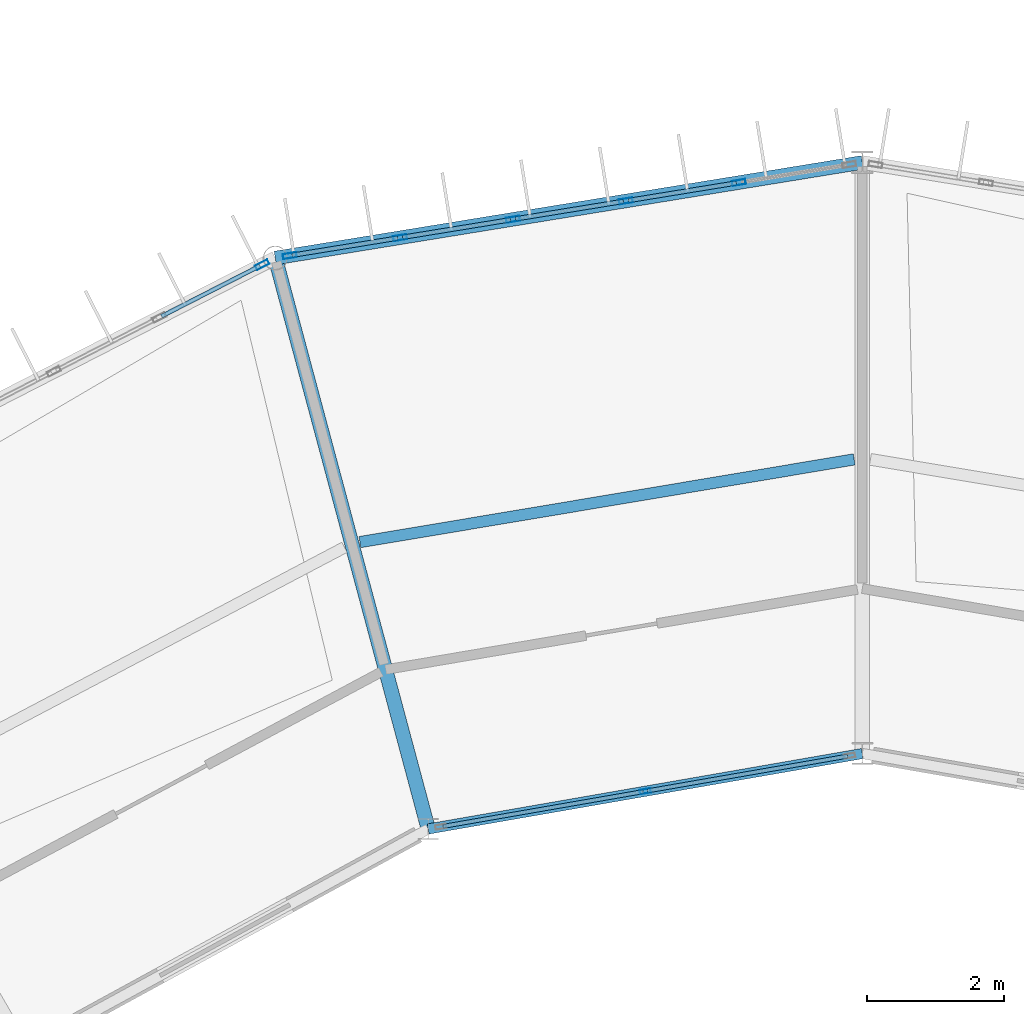
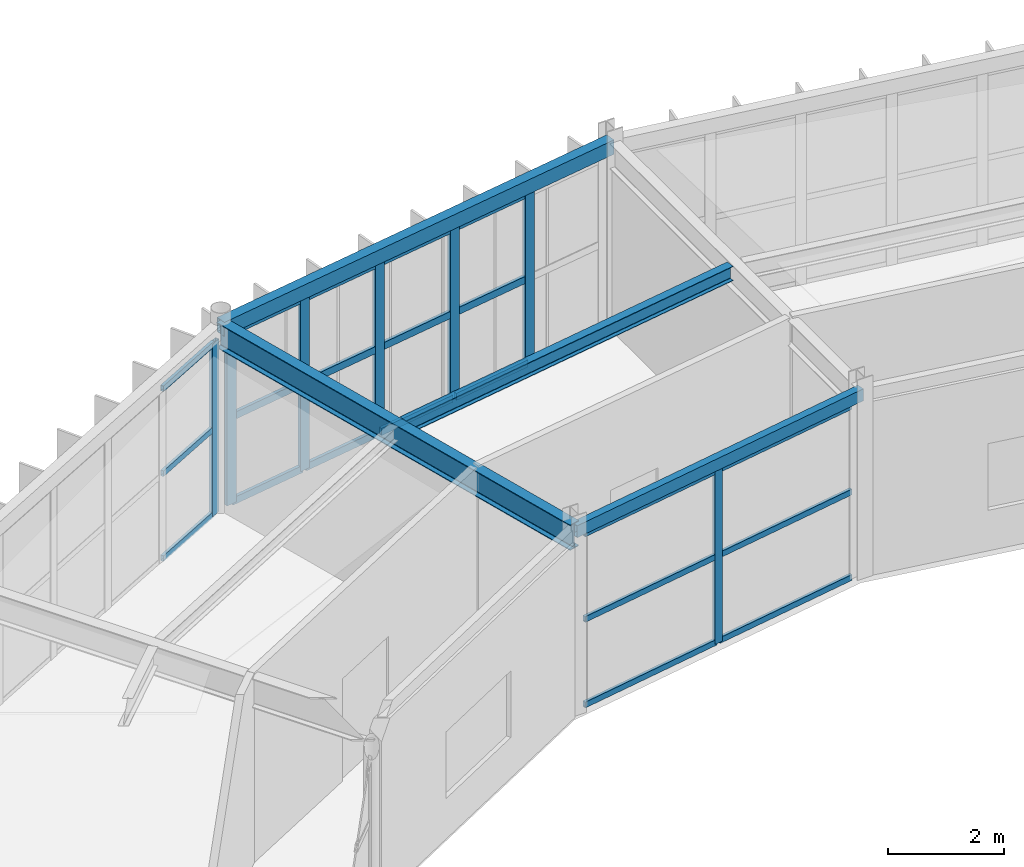
# One storey, part 79 of 148: 28 members, 4 beams, 3 elements without a shape of their own.
"""IFC4 building model written with IfcOpenShell, lengths in metres."""

import ifcopenshell
import ifcopenshell.guid

model = None  # the IFC model being written
_history = None  # IfcOwnerHistory: only IFC2X3 demands one
_inside = {}  # id of a spatial element -> (the spatial element, [elements in it])
_under = {}  # id of a project, library or spatial element -> (it, [spatial elements below it])
_declared = {}  # id of a project -> (the project, [libraries it declares])
_typed = {}  # id of a type object -> (the type object, [elements of that type])
_made_of = {}  # id of a material, layer set ... -> (it, [elements and type objects made of it])


def new_model(schema):
    """Start an empty IFC model of exactly this schema.

    Asked for "IFC4X3", IfcOpenShell would pick the latest addendum, in which some entities
    have other attributes; the version numbers below select the first issue.
    IFC2X3 requires an IfcOwnerHistory on every rooted entity: one is made here for all.
    """
    global model, _history
    if schema == "IFC4X3":
        model = ifcopenshell.file(schema_version=(4, 3, 0, 0))
    else:
        model = ifcopenshell.file(schema=schema)
    _inside.clear()
    _under.clear()
    _declared.clear()
    _typed.clear()
    _made_of.clear()
    _history = None
    if model.schema == "IFC2X3":
        org = make("IfcOrganization", Name="unknown")
        user = make(
            "IfcPersonAndOrganization",
            ThePerson=make("IfcPerson", FamilyName="unknown"),
            TheOrganization=org,
        )
        app = make(
            "IfcApplication",
            ApplicationDeveloper=org,
            Version="unknown",
            ApplicationFullName="unknown",
            ApplicationIdentifier="unknown",
        )
        _history = make(
            "IfcOwnerHistory",
            OwningUser=user,
            OwningApplication=app,
            ChangeAction="ADDED",
            CreationDate=0,
        )
    return model


def make(cls, **values):
    """One entity of the class cls with the attributes given. An attribute that is None is left unset."""
    return model.create_entity(
        cls, **{name: value for name, value in values.items() if value is not None}
    )


def rooted(cls, **values):
    """An entity with a GlobalId (a new one), such as an element, a storey or a relation."""
    return make(cls, GlobalId=ifcopenshell.guid.new(), OwnerHistory=_history, **values)


def si_unit(unit_type, name, prefix=None):
    """IfcSIUnit, for example si_unit("LENGTHUNIT", "METRE", prefix="MILLI")."""
    return make("IfcSIUnit", UnitType=unit_type, Prefix=prefix, Name=name)


def assignment(units):
    """IfcUnitAssignment: the units of a project."""
    return None if units is None else make("IfcUnitAssignment", Units=units)


def point(xyz):
    """IfcCartesianPoint."""
    return None if xyz is None else make("IfcCartesianPoint", Coordinates=xyz)


def direction(xyz):
    """IfcDirection."""
    return None if xyz is None else make("IfcDirection", DirectionRatios=xyz)


def frame(location, z_axis=None, x_axis=None):
    """IfcAxis2Placement3D, a coordinate frame: its origin and axes. An axis left out is left unset."""
    return make(
        "IfcAxis2Placement3D",
        Location=point(location),
        Axis=direction(z_axis),
        RefDirection=direction(x_axis),
    )


def frame_2d(location, x_axis=None):
    """IfcAxis2Placement2D, a coordinate frame in the plane: its origin and x axis."""
    return make(
        "IfcAxis2Placement2D", Location=point(location), RefDirection=direction(x_axis)
    )


def origin():
    """The frame at (0, 0, 0) with its axes left unset."""
    return frame((0.0, 0.0, 0.0))


def origin_2d():
    """The frame at (0, 0) in the plane with its x axis left unset."""
    return frame_2d((0.0, 0.0))


def place(relative_to, where):
    """IfcLocalPlacement: puts the frame where relative to a parent placement (None: the world)."""
    return make(
        "IfcLocalPlacement", PlacementRelTo=relative_to, RelativePlacement=where
    )


def context(
    kind, dimensions, precision=None, world=None, true_north=None, identifier=None
):
    """IfcGeometricRepresentationContext, for example the 3D "Model" context."""
    return make(
        "IfcGeometricRepresentationContext",
        ContextIdentifier=identifier,
        ContextType=kind,
        CoordinateSpaceDimension=dimensions,
        Precision=precision,
        WorldCoordinateSystem=world,
        TrueNorth=true_north,
    )


def subcontext(parent, identifier, kind, view, scale=None):
    """IfcGeometricRepresentationSubContext, for example "Body" below "Model"."""
    return make(
        "IfcGeometricRepresentationSubContext",
        ContextIdentifier=identifier,
        ContextType=kind,
        ParentContext=parent,
        TargetScale=scale,
        TargetView=view,
    )


def project(units=None, contexts=None):
    """IfcProject with its units and contexts."""
    return rooted(
        "IfcProject",
        Name="project",
        RepresentationContexts=contexts,
        UnitsInContext=assignment(units),
    )


def spatial(cls, under=None, at=None, **own):
    """A site, building, storey or space (cls), placed at a placement, below another one or the project."""
    s = rooted(cls, ObjectPlacement=at, **own)
    if under is not None:
        _under.setdefault(under.id(), (under, []))[1].append(s)
    return s


def profile(cls, at=None, kind="AREA", **sizes):
    """A parametric profile (cls). Its sizes go by their IFC names, for example OverallWidth=200.0."""
    return make(cls, ProfileType=kind, Position=at, **sizes)


def hollow_rectangle(**sizes):
    """IfcRectangleHollowProfileDef."""
    return profile("IfcRectangleHollowProfileDef", **sizes)


def i_section(**sizes):
    """IfcIShapeProfileDef."""
    return profile("IfcIShapeProfileDef", **sizes)


def extrude(swept, where, along, depth):
    """IfcExtrudedAreaSolid: the profile swept, set in the frame where, extruded along a direction by depth."""
    return make(
        "IfcExtrudedAreaSolid",
        SweptArea=swept,
        Position=where,
        ExtrudedDirection=direction(along),
        Depth=depth,
    )


def shape(context_of_items, identifier, shape_type, items):
    """IfcShapeRepresentation: the items that make up one representation, for example the "Body"."""
    return make(
        "IfcShapeRepresentation",
        ContextOfItems=context_of_items,
        RepresentationIdentifier=identifier,
        RepresentationType=shape_type,
        Items=items,
    )


def material(Name=None, Category=None):
    """IfcMaterial."""
    return make("IfcMaterial", Name=Name, Category=Category)


def material_profile(
    of_material, cross_section, Name=None, Category=None, Priority=None
):
    """IfcMaterialProfile: a cross section and its material."""
    return make(
        "IfcMaterialProfile",
        Name=Name,
        Material=of_material,
        Profile=cross_section,
        Priority=Priority,
        Category=Category,
    )


def profile_set(profiles, Name=None, composite=None):
    """IfcMaterialProfileSet."""
    return make(
        "IfcMaterialProfileSet",
        Name=Name,
        MaterialProfiles=profiles,
        CompositeProfile=composite,
    )


def made_of(thing, what):
    """Note that an element or type object is made of a material, layer set ...; save() writes the relation."""
    if what is not None:
        _made_of.setdefault(what.id(), (what, []))[1].append(thing)
    return thing


def type_object(cls, material=None, **own):
    """A type object (cls), such as IfcWallType, which elements share."""
    return made_of(rooted(cls, **own), material)


def element(
    cls,
    number,
    at=None,
    inside=None,
    cuts=None,
    type_object=None,
    material=None,
    context=None,
    identifier="Body",
    shape_type=None,
    held_by="IfcProductDefinitionShape",
    body=None,
    shapes=None,
    **own,
):
    """One element of the class cls, such as IfcWall. Its Tag is "e" and its number.

    at: its placement. inside: the storey or other place that contains it. cuts: it is an
    opening in that element (IfcRelVoidsElement). A single representation is given by context,
    identifier, shape_type and body (its items); several are given by shapes. held_by: the class
    of the entity that holds the representations. save() writes the other relations.
    """
    e = rooted(cls, Tag="e%d" % number, ObjectPlacement=at, **own)
    if body is not None:
        shapes = [shape(context, identifier, shape_type, body)]
    if shapes is not None:
        e.Representation = make(held_by, Representations=shapes)
    if inside is not None:
        _inside.setdefault(inside.id(), (inside, []))[1].append(e)
    if cuts is not None:
        rooted(
            "IfcRelVoidsElement", RelatingBuildingElement=cuts, RelatedOpeningElement=e
        )
    if type_object is not None:
        _typed.setdefault(type_object.id(), (type_object, []))[1].append(e)
    return made_of(e, material)


def aggregate(whole, parts):
    """IfcRelAggregates: a whole, such as a stair, and the parts it consists of."""
    return rooted("IfcRelAggregates", RelatingObject=whole, RelatedObjects=parts)


def save(model, path):
    """Write the relations noted so far, then the file.

    IfcRelAggregates (storeys below a building ...), IfcRelContainedInSpatialStructure (elements
    in a storey), IfcRelDefinesByType, IfcRelAssociatesMaterial and IfcRelDeclares: one each for
    every whole, place, type object, material and project.
    """
    for whole, parts in _under.values():
        aggregate(whole, parts)
    for where, things in _inside.values():
        rooted(
            "IfcRelContainedInSpatialStructure",
            RelatedElements=things,
            RelatingStructure=where,
        )
    for kind, things in _typed.values():
        rooted("IfcRelDefinesByType", RelatedObjects=things, RelatingType=kind)
    for what, things in _made_of.values():
        rooted("IfcRelAssociatesMaterial", RelatedObjects=things, RelatingMaterial=what)
    for by, libraries in _declared.values():
        rooted("IfcRelDeclares", RelatingContext=by, RelatedDefinitions=libraries)
    model.write(path)


model = new_model("IFC4")

# Units and contexts
model_context = context("Model", 3, precision=1e-05, world=origin(), true_north=direction((0.0, 1.0)))
body_context = subcontext(model_context, "Body", "Model", "MODEL_VIEW")
ifc_project = project(units=[si_unit("LENGTHUNIT", "METRE"), si_unit("AREAUNIT", "SQUARE_METRE"), si_unit("VOLUMEUNIT", "CUBIC_METRE"), si_unit("PLANEANGLEUNIT", "RADIAN"), si_unit("MASSUNIT", "GRAM", prefix="KILO")], contexts=[model_context])

# Site, building, storey
site_placement = place(None, origin())
site = spatial("IfcSite", under=ifc_project, at=site_placement, CompositionType="ELEMENT")
building_placement = place(site_placement, origin())
building = spatial("IfcBuilding", under=site, at=building_placement, Name="Karori Crest Natural Sciences Institute", CompositionType="ELEMENT")
storey_placement = place(building_placement, frame((0.0, 0.0, 4.89990234375)))
storey = spatial("IfcBuildingStorey", under=building, at=storey_placement, Name="L01", CompositionType="ELEMENT", Elevation=4.89990234375)

# Beams
ifc_material_1 = material(Name="Structural steel AS/NZS 3679.1 Grade 350", Category="steel")
ifc_material_profile_1 = material_profile(ifc_material_1, i_section(OverallWidth=0.208984375, OverallDepth=0.532958984375, WebThickness=0.01025390625, FlangeThickness=0.015625, FilletRadius=0.013916015625, at=origin_2d()), Name="530UB92.4")
ifc_profile_set_1 = profile_set([ifc_material_profile_1], Name="Structural steel AS/NZS 3679.1 Grade 350")
beam_type_1 = type_object("IfcBeamType", Name="BT-05", PredefinedType="BEAM", material=ifc_profile_set_1)
beam_1_placement = place(storey_placement, frame((60.084716796875, 81.002685546875, 3.673583984375), z_axis=(-0.258812709002, 0.96592752402, 0.0), x_axis=(-0.96592752402, -0.258812709002, 0.0)))
element("IfcBeam", 1, at=beam_1_placement, inside=storey, type_object=beam_type_1, Name="Beam B-0209", PredefinedType="BEAM", context=body_context, shape_type="SweptSolid", body=[
    extrude(i_section(OverallWidth=0.208984375, OverallDepth=0.532958984375, WebThickness=0.01025390625, FlangeThickness=0.015625, FilletRadius=0.013916015625, at=origin_2d()), origin(), (0.0, 0.0, 1.0), 8.60009765625),
])
ifc_material_profile_2 = material_profile(ifc_material_1, i_section(OverallWidth=0.1650390625, OverallDepth=0.303955078125, WebThickness=0.006103515625, FlangeThickness=0.01025390625, FilletRadius=0.010986328125, at=origin_2d()), Name="310UB40.4")
ifc_profile_set_2 = profile_set([ifc_material_profile_2], Name="Structural steel AS/NZS 3679.1 Grade 350")
beam_type_2 = type_object("IfcBeamType", Name="BT-10", PredefinedType="BEAM", material=ifc_profile_set_2)
beam_2_placement = place(storey_placement, frame((66.281494140625, 86.380126953125, 3.7880859375), z_axis=(-0.98626966223, -0.165142827164, 0.0), x_axis=(0.165142827164, -0.98626966223, 0.0)))
element("IfcBeam", 2, at=beam_2_placement, inside=storey, type_object=beam_type_2, Name="Beam B-0206", PredefinedType="BEAM", context=body_context, shape_type="SweptSolid", body=[
    extrude(i_section(OverallWidth=0.1650390625, OverallDepth=0.303955078125, WebThickness=0.006103515625, FlangeThickness=0.01025390625, FilletRadius=0.010986328125, at=origin_2d()), origin(), (0.0, 0.0, 1.0), 7.291259765625),
])
ifc_material_2 = material(Name="Hollow structural steel AS/NZS 1163 Grade C350", Category="steel")
ifc_material_profile_3 = material_profile(ifc_material_2, hollow_rectangle(XDim=0.199951171875, YDim=0.300048828125, WallThickness=0.010009765625, at=origin_2d()), Name="RHS300x200x10")
ifc_profile_set_3 = profile_set([ifc_material_profile_3], Name="Hollow structural steel AS/NZS 1163 Grade C350")
beam_type_3 = type_object("IfcBeamType", Name="BT-15", PredefinedType="SPANDREL", material=ifc_profile_set_3)
beam_3_placement = place(storey_placement, frame((66.39990234375, 90.699951171875, 3.7900390625), z_axis=(-0.987012055933, -0.160646199591, 0.0), x_axis=(0.160646199591, -0.987012055933, 0.0)))
element("IfcBeam", 3, at=beam_3_placement, inside=storey, type_object=beam_type_3, Name="Beam B-0203", PredefinedType="SPANDREL", context=body_context, shape_type="SweptSolid", body=[
    extrude(hollow_rectangle(XDim=0.199951171875, YDim=0.300048828125, WallThickness=0.010009765625, at=origin_2d()), origin(), (0.0, 0.0, 1.0), 8.6533203125),
])
ifc_material_profile_4 = material_profile(ifc_material_2, hollow_rectangle(XDim=0.14990234375, YDim=0.25, WallThickness=0.009033203125, at=origin_2d()), Name="RHS250x150x9")
ifc_profile_set_4 = profile_set([ifc_material_profile_4], Name="Hollow structural steel AS/NZS 1163 Grade C350")
beam_type_4 = type_object("IfcBeamType", Name="BT-16", PredefinedType="SPANDREL", material=ifc_profile_set_4)
beam_4_placement = place(storey_placement, frame((66.39990234375, 82.10009765625, 3.7900390625), z_axis=(-0.985234948316, -0.171207758638, 0.0), x_axis=(0.171207758638, -0.985234948316, 0.0)))
element("IfcBeam", 4, at=beam_4_placement, inside=storey, type_object=beam_type_4, Name="Beam B-0204", PredefinedType="SPANDREL", context=body_context, shape_type="SweptSolid", body=[
    extrude(hollow_rectangle(XDim=0.14990234375, YDim=0.25, WallThickness=0.009033203125, at=origin_2d()), origin(), (0.0, 0.0, 1.0), 6.409912109375),
])

# Curtain wall, member
ifc_material_3 = material(Name="Anodised architectural aluminium 6063-T6", Category="aluminium")
curtain_wall_type_1 = type_object("IfcCurtainWallType", Name="CWT-12", PredefinedType="NOTDEFINED", material=ifc_material_3)
curtain_wall_1_placement = place(storey_placement, origin())
curtain_wall_1 = element("IfcCurtainWall", 5, at=curtain_wall_1_placement, inside=storey, type_object=curtain_wall_type_1, Name="Curtain wall CW-0040", PredefinedType="NOTDEFINED")
ifc_material_profile_5 = material_profile(ifc_material_3, hollow_rectangle(XDim=0.06494140625, YDim=0.159912109375, WallThickness=0.00390625, at=origin_2d()), Name="CWM160x65x4")
ifc_profile_set_5 = profile_set([ifc_material_profile_5], Name="Anodised architectural aluminium 6063-T6")
member_type_1 = type_object("IfcMemberType", Name="CWM-01", PredefinedType="MULLION", material=ifc_profile_set_5)
member_1_placement = place(storey_placement, frame((63.241943359375, 81.55126953125, 0.0), z_axis=(0.0, 0.0, 1.0), x_axis=(0.171170381048, -0.985241442821, 0.0)))
member_1 = element("IfcMember", 6, at=member_1_placement, type_object=member_type_1, Name="CW-0040 mullion 2", PredefinedType="MULLION", context=body_context, shape_type="SweptSolid", body=[
    extrude(hollow_rectangle(XDim=0.06494140625, YDim=0.159912109375, WallThickness=0.00390625, at=origin_2d()), origin(), (0.0, 0.0, 1.0), 3.650146484375),
])

# Curtain wall, members
curtain_wall_type_2 = type_object("IfcCurtainWallType", Name="CWT-07", PredefinedType="NOTDEFINED", material=ifc_material_3)
curtain_wall_2_placement = place(storey_placement, origin())
curtain_wall_2 = element("IfcCurtainWall", 7, at=curtain_wall_2_placement, inside=storey, type_object=curtain_wall_type_2, Name="Curtain wall CW-0039", PredefinedType="NOTDEFINED")
ifc_material_profile_6 = material_profile(ifc_material_3, hollow_rectangle(XDim=0.074951171875, YDim=0.199951171875, WallThickness=0.0048828125, at=origin_2d()), Name="CWM200x75x5")
ifc_profile_set_6 = profile_set([ifc_material_profile_6], Name="Anodised architectural aluminium 6063-T6")
member_type_2 = type_object("IfcMemberType", Name="CWM-02", PredefinedType="MULLION", material=ifc_profile_set_6)
member_2_placement = place(storey_placement, frame((58.069580078125, 89.343994140625, 0.0), z_axis=(0.0, 0.0, 1.0), x_axis=(-0.1606565458, 0.987010371927, 0.0)))
member_2 = element("IfcMember", 8, at=member_2_placement, type_object=member_type_2, Name="CW-0039 mullion 1", PredefinedType="MULLION", context=body_context, shape_type="SweptSolid", body=[
    extrude(hollow_rectangle(XDim=0.074951171875, YDim=0.199951171875, WallThickness=0.0048828125, at=origin_2d()), origin(), (0.0, 0.0, 1.0), 3.625),
])
member_3_placement = place(storey_placement, frame((59.67529296875, 89.60546875, 0.0), z_axis=(0.0, 0.0, 1.0), x_axis=(-0.1606565458, 0.987010371927, 0.0)))
member_3 = element("IfcMember", 9, at=member_3_placement, type_object=member_type_2, Name="CW-0039 mullion 2", PredefinedType="MULLION", context=body_context, shape_type="SweptSolid", body=[
    extrude(hollow_rectangle(XDim=0.074951171875, YDim=0.199951171875, WallThickness=0.0048828125, at=origin_2d()), origin(), (0.0, 0.0, 1.0), 3.625),
])
member_4_placement = place(storey_placement, frame((61.318115234375, 89.872802734375, 0.0), z_axis=(0.0, 0.0, 1.0), x_axis=(-0.1606565458, 0.987010371927, 0.0)))
member_4 = element("IfcMember", 10, at=member_4_placement, type_object=member_type_2, Name="CW-0039 mullion 3", PredefinedType="MULLION", context=body_context, shape_type="SweptSolid", body=[
    extrude(hollow_rectangle(XDim=0.074951171875, YDim=0.199951171875, WallThickness=0.0048828125, at=origin_2d()), origin(), (0.0, 0.0, 1.0), 3.625),
])
member_5_placement = place(storey_placement, frame((62.9609375, 90.14013671875, 0.0), z_axis=(0.0, 0.0, 1.0), x_axis=(-0.1606565458, 0.987010371927, 0.0)))
member_5 = element("IfcMember", 11, at=member_5_placement, type_object=member_type_2, Name="CW-0039 mullion 4", PredefinedType="MULLION", context=body_context, shape_type="SweptSolid", body=[
    extrude(hollow_rectangle(XDim=0.074951171875, YDim=0.199951171875, WallThickness=0.0048828125, at=origin_2d()), origin(), (0.0, 0.0, 1.0), 3.625),
])
member_6_placement = place(storey_placement, frame((64.603759765625, 90.40771484375, 0.0), z_axis=(0.0, 0.0, 1.0), x_axis=(-0.1606565458, 0.987010371927, 0.0)))
member_6 = element("IfcMember", 12, at=member_6_placement, type_object=member_type_2, Name="CW-0039 mullion 5", PredefinedType="MULLION", context=body_context, shape_type="SweptSolid", body=[
    extrude(hollow_rectangle(XDim=0.074951171875, YDim=0.199951171875, WallThickness=0.0048828125, at=origin_2d()), origin(), (0.0, 0.0, 1.0), 3.625),
])

# Curtain wall, member
curtain_wall_type_3 = type_object("IfcCurtainWallType", Name="CWT-08", PredefinedType="NOTDEFINED", material=ifc_material_3)
curtain_wall_3_placement = place(storey_placement, origin())
curtain_wall_3 = element("IfcCurtainWall", 13, at=curtain_wall_3_placement, inside=storey, type_object=curtain_wall_type_3, Name="Curtain wall CW-0041", PredefinedType="NOTDEFINED")
member_7_placement = place(storey_placement, frame((57.669189453125, 89.212646484375, 0.0), z_axis=(0.0, 0.0, 1.0), x_axis=(-0.455832988828, 0.890065326982, 0.0)))
member_7 = element("IfcMember", 14, at=member_7_placement, type_object=member_type_2, Name="CW-0041 mullion 6", PredefinedType="MULLION", context=body_context, shape_type="SweptSolid", body=[
    extrude(hollow_rectangle(XDim=0.074951171875, YDim=0.199951171875, WallThickness=0.0048828125, at=origin_2d()), origin(), (0.0, 0.0, 1.0), 3.625),
])

# Member
ifc_material_profile_7 = material_profile(ifc_material_3, hollow_rectangle(XDim=0.06005859375, YDim=0.1201171875, WallThickness=0.00390625, at=origin_2d()), Name="CWT120x60x4")
ifc_profile_set_7 = profile_set([ifc_material_profile_7], Name="Anodised architectural aluminium 6063-T6")
member_type_3 = type_object("IfcMemberType", Name="CWT-TR1", PredefinedType="USERDEFINED", material=ifc_profile_set_7)
member_8_placement = place(storey_placement, frame((66.1845703125, 82.0625, 0.030029296875), z_axis=(-0.985245095786, -0.171149353579, 0.0), x_axis=(0.171149353579, -0.985245095786, 0.0)))
member_8 = element("IfcMember", 15, at=member_8_placement, type_object=member_type_3, Name="CW-0040 transom 1.1", ObjectType="TRANSOM", PredefinedType="USERDEFINED", context=body_context, shape_type="SweptSolid", body=[
    extrude(hollow_rectangle(XDim=0.06005859375, YDim=0.1201171875, WallThickness=0.00390625, at=origin_2d()), origin(), (0.0, 0.0, 1.0), 2.954345703125),
])

member_9_placement = place(storey_placement, frame((66.1845703125, 82.0625, 1.8251953125), z_axis=(-0.985245095786, -0.171149353579, 0.0), x_axis=(0.171149353579, -0.985245095786, 0.0)))
member_9 = element("IfcMember", 16, at=member_9_placement, type_object=member_type_3, Name="CW-0040 transom 1.2", ObjectType="TRANSOM", PredefinedType="USERDEFINED", context=body_context, shape_type="SweptSolid", body=[
    extrude(hollow_rectangle(XDim=0.06005859375, YDim=0.1201171875, WallThickness=0.00390625, at=origin_2d()), origin(), (0.0, 0.0, 1.0), 2.954345703125),
])

member_10_placement = place(storey_placement, frame((66.1845703125, 82.0625, 3.6201171875), z_axis=(-0.985245095786, -0.171149353579, 0.0), x_axis=(0.171149353579, -0.985245095786, 0.0)))
member_10 = element("IfcMember", 17, at=member_10_placement, type_object=member_type_3, Name="CW-0040 transom 1.3", ObjectType="TRANSOM", PredefinedType="USERDEFINED", context=body_context, shape_type="SweptSolid", body=[
    extrude(hollow_rectangle(XDim=0.06005859375, YDim=0.1201171875, WallThickness=0.00390625, at=origin_2d()), origin(), (0.0, 0.0, 1.0), 2.954345703125),
])

member_11_placement = place(storey_placement, frame((63.2099609375, 81.5458984375, 0.030029296875), z_axis=(-0.985231157469, -0.171229572075, 0.0), x_axis=(0.171229572075, -0.985231157469, 0.0)))
member_11 = element("IfcMember", 18, at=member_11_placement, type_object=member_type_3, Name="CW-0040 transom 2.1", ObjectType="TRANSOM", PredefinedType="USERDEFINED", context=body_context, shape_type="SweptSolid", body=[
    extrude(hollow_rectangle(XDim=0.06005859375, YDim=0.1201171875, WallThickness=0.00390625, at=origin_2d()), origin(), (0.0, 0.0, 1.0), 2.954345703125),
])

member_12_placement = place(storey_placement, frame((63.2099609375, 81.5458984375, 1.8251953125), z_axis=(-0.985231157469, -0.171229572075, 0.0), x_axis=(0.171229572075, -0.985231157469, 0.0)))
member_12 = element("IfcMember", 19, at=member_12_placement, type_object=member_type_3, Name="CW-0040 transom 2.2", ObjectType="TRANSOM", PredefinedType="USERDEFINED", context=body_context, shape_type="SweptSolid", body=[
    extrude(hollow_rectangle(XDim=0.06005859375, YDim=0.1201171875, WallThickness=0.00390625, at=origin_2d()), origin(), (0.0, 0.0, 1.0), 2.954345703125),
])

member_13_placement = place(storey_placement, frame((63.2099609375, 81.5458984375, 3.6201171875), z_axis=(-0.985231157469, -0.171229572075, 0.0), x_axis=(0.171229572075, -0.985231157469, 0.0)))
member_13 = element("IfcMember", 20, at=member_13_placement, type_object=member_type_3, Name="CW-0040 transom 2.3", ObjectType="TRANSOM", PredefinedType="USERDEFINED", context=body_context, shape_type="SweptSolid", body=[
    extrude(hollow_rectangle(XDim=0.06005859375, YDim=0.1201171875, WallThickness=0.00390625, at=origin_2d()), origin(), (0.0, 0.0, 1.0), 2.954345703125),
])

aggregate(curtain_wall_1, [member_1, member_8, member_9, member_10, member_11, member_12, member_13])

member_14_placement = place(storey_placement, frame((56.203857421875, 88.462158203125, 0.030029296875), z_axis=(0.890044866674, 0.455872937679, 0.0), x_axis=(-0.455872937679, 0.890044866674, 0.0)))
member_14 = element("IfcMember", 21, at=member_14_placement, type_object=member_type_3, Name="CW-0041 transom 5.1", ObjectType="TRANSOM", PredefinedType="USERDEFINED", context=body_context, shape_type="SweptSolid", body=[
    extrude(hollow_rectangle(XDim=0.06005859375, YDim=0.1201171875, WallThickness=0.00390625, at=origin_2d()), origin(), (0.0, 0.0, 1.0), 1.60888671875),
])

member_15_placement = place(storey_placement, frame((56.203857421875, 88.462158203125, 1.8125), z_axis=(0.890044866674, 0.455872937679, 0.0), x_axis=(-0.455872937679, 0.890044866674, 0.0)))
member_15 = element("IfcMember", 22, at=member_15_placement, type_object=member_type_3, Name="CW-0041 transom 5.2", ObjectType="TRANSOM", PredefinedType="USERDEFINED", context=body_context, shape_type="SweptSolid", body=[
    extrude(hollow_rectangle(XDim=0.06005859375, YDim=0.1201171875, WallThickness=0.00390625, at=origin_2d()), origin(), (0.0, 0.0, 1.0), 1.60888671875),
])

member_16_placement = place(storey_placement, frame((56.203857421875, 88.462158203125, 3.59521484375), z_axis=(0.890044866674, 0.455872937679, 0.0), x_axis=(-0.455872937679, 0.890044866674, 0.0)))
member_16 = element("IfcMember", 23, at=member_16_placement, type_object=member_type_3, Name="CW-0041 transom 5.3", ObjectType="TRANSOM", PredefinedType="USERDEFINED", context=body_context, shape_type="SweptSolid", body=[
    extrude(hollow_rectangle(XDim=0.06005859375, YDim=0.1201171875, WallThickness=0.00390625, at=origin_2d()), origin(), (0.0, 0.0, 1.0), 1.60888671875),
])

aggregate(curtain_wall_3, [member_7, member_14, member_15, member_16])

ifc_material_profile_8 = material_profile(ifc_material_3, hollow_rectangle(XDim=0.06494140625, YDim=0.14990234375, WallThickness=0.00390625, at=origin_2d()), Name="CWT150x65x4")
ifc_profile_set_8 = profile_set([ifc_material_profile_8], Name="Anodised architectural aluminium 6063-T6")
member_type_4 = type_object("IfcMemberType", Name="CWT-TR2", PredefinedType="USERDEFINED", material=ifc_profile_set_8)
member_17_placement = place(storey_placement, frame((58.1064453125, 89.35009765625, 0.03271484375), z_axis=(0.987015971558, 0.160622140096, 0.0), x_axis=(-0.160622140096, 0.987015971558, 0.0)))
member_17 = element("IfcMember", 24, at=member_17_placement, type_object=member_type_4, Name="CW-0039 transom 1.1", ObjectType="TRANSOM", PredefinedType="USERDEFINED", context=body_context, shape_type="SweptSolid", body=[
    extrude(hollow_rectangle(XDim=0.06494140625, YDim=0.14990234375, WallThickness=0.00390625, at=origin_2d()), origin(), (0.0, 0.0, 1.0), 1.552001953125),
])

member_18_placement = place(storey_placement, frame((58.1064453125, 89.35009765625, 1.8125), z_axis=(0.987015971558, 0.160622140096, 0.0), x_axis=(-0.160622140096, 0.987015971558, 0.0)))
member_18 = element("IfcMember", 25, at=member_18_placement, type_object=member_type_4, Name="CW-0039 transom 1.2", ObjectType="TRANSOM", PredefinedType="USERDEFINED", context=body_context, shape_type="SweptSolid", body=[
    extrude(hollow_rectangle(XDim=0.06494140625, YDim=0.14990234375, WallThickness=0.00390625, at=origin_2d()), origin(), (0.0, 0.0, 1.0), 1.552001953125),
])

member_19_placement = place(storey_placement, frame((58.1064453125, 89.35009765625, 3.592529296875), z_axis=(0.987015971558, 0.160622140096, 0.0), x_axis=(-0.160622140096, 0.987015971558, 0.0)))
member_19 = element("IfcMember", 26, at=member_19_placement, type_object=member_type_4, Name="CW-0039 transom 1.3", ObjectType="TRANSOM", PredefinedType="USERDEFINED", context=body_context, shape_type="SweptSolid", body=[
    extrude(hollow_rectangle(XDim=0.06494140625, YDim=0.14990234375, WallThickness=0.00390625, at=origin_2d()), origin(), (0.0, 0.0, 1.0), 1.552001953125),
])

member_20_placement = place(storey_placement, frame((59.71240234375, 89.611328125, 0.03271484375), z_axis=(0.987005570186, 0.160686043022, 0.0), x_axis=(-0.160686043022, 0.987005570186, 0.0)))
member_20 = element("IfcMember", 27, at=member_20_placement, type_object=member_type_4, Name="CW-0039 transom 2.1", ObjectType="TRANSOM", PredefinedType="USERDEFINED", context=body_context, shape_type="SweptSolid", body=[
    extrude(hollow_rectangle(XDim=0.06494140625, YDim=0.14990234375, WallThickness=0.00390625, at=origin_2d()), origin(), (0.0, 0.0, 1.0), 1.58935546875),
])

member_21_placement = place(storey_placement, frame((59.71240234375, 89.611328125, 1.8125), z_axis=(0.987005570186, 0.160686043022, 0.0), x_axis=(-0.160686043022, 0.987005570186, 0.0)))
member_21 = element("IfcMember", 28, at=member_21_placement, type_object=member_type_4, Name="CW-0039 transom 2.2", ObjectType="TRANSOM", PredefinedType="USERDEFINED", context=body_context, shape_type="SweptSolid", body=[
    extrude(hollow_rectangle(XDim=0.06494140625, YDim=0.14990234375, WallThickness=0.00390625, at=origin_2d()), origin(), (0.0, 0.0, 1.0), 1.58935546875),
])

member_22_placement = place(storey_placement, frame((59.71240234375, 89.611328125, 3.592529296875), z_axis=(0.987005570186, 0.160686043022, 0.0), x_axis=(-0.160686043022, 0.987005570186, 0.0)))
member_22 = element("IfcMember", 29, at=member_22_placement, type_object=member_type_4, Name="CW-0039 transom 2.3", ObjectType="TRANSOM", PredefinedType="USERDEFINED", context=body_context, shape_type="SweptSolid", body=[
    extrude(hollow_rectangle(XDim=0.06494140625, YDim=0.14990234375, WallThickness=0.00390625, at=origin_2d()), origin(), (0.0, 0.0, 1.0), 1.58935546875),
])

member_23_placement = place(storey_placement, frame((61.355224609375, 89.87890625, 0.03271484375), z_axis=(0.987005570186, 0.160686043022, 0.0), x_axis=(-0.160686043022, 0.987005570186, 0.0)))
member_23 = element("IfcMember", 30, at=member_23_placement, type_object=member_type_4, Name="CW-0039 transom 3.1", ObjectType="TRANSOM", PredefinedType="USERDEFINED", context=body_context, shape_type="SweptSolid", body=[
    extrude(hollow_rectangle(XDim=0.06494140625, YDim=0.14990234375, WallThickness=0.00390625, at=origin_2d()), origin(), (0.0, 0.0, 1.0), 1.58935546875),
])

member_24_placement = place(storey_placement, frame((61.355224609375, 89.87890625, 1.8125), z_axis=(0.987005570186, 0.160686043022, 0.0), x_axis=(-0.160686043022, 0.987005570186, 0.0)))
member_24 = element("IfcMember", 31, at=member_24_placement, type_object=member_type_4, Name="CW-0039 transom 3.2", ObjectType="TRANSOM", PredefinedType="USERDEFINED", context=body_context, shape_type="SweptSolid", body=[
    extrude(hollow_rectangle(XDim=0.06494140625, YDim=0.14990234375, WallThickness=0.00390625, at=origin_2d()), origin(), (0.0, 0.0, 1.0), 1.58935546875),
])

member_25_placement = place(storey_placement, frame((61.355224609375, 89.87890625, 3.592529296875), z_axis=(0.987005570186, 0.160686043022, 0.0), x_axis=(-0.160686043022, 0.987005570186, 0.0)))
member_25 = element("IfcMember", 32, at=member_25_placement, type_object=member_type_4, Name="CW-0039 transom 3.3", ObjectType="TRANSOM", PredefinedType="USERDEFINED", context=body_context, shape_type="SweptSolid", body=[
    extrude(hollow_rectangle(XDim=0.06494140625, YDim=0.14990234375, WallThickness=0.00390625, at=origin_2d()), origin(), (0.0, 0.0, 1.0), 1.58935546875),
])

member_26_placement = place(storey_placement, frame((62.997802734375, 90.146240234375, 0.03271484375), z_axis=(0.987009535741, 0.160661682911, 0.0), x_axis=(-0.160661682911, 0.987009535741, 0.0)))
member_26 = element("IfcMember", 33, at=member_26_placement, type_object=member_type_4, Name="CW-0039 transom 4.1", ObjectType="TRANSOM", PredefinedType="USERDEFINED", context=body_context, shape_type="SweptSolid", body=[
    extrude(hollow_rectangle(XDim=0.06494140625, YDim=0.14990234375, WallThickness=0.00390625, at=origin_2d()), origin(), (0.0, 0.0, 1.0), 1.589599609375),
])

member_27_placement = place(storey_placement, frame((62.997802734375, 90.146240234375, 1.8125), z_axis=(0.987009535741, 0.160661682911, 0.0), x_axis=(-0.160661682911, 0.987009535741, 0.0)))
member_27 = element("IfcMember", 34, at=member_27_placement, type_object=member_type_4, Name="CW-0039 transom 4.2", ObjectType="TRANSOM", PredefinedType="USERDEFINED", context=body_context, shape_type="SweptSolid", body=[
    extrude(hollow_rectangle(XDim=0.06494140625, YDim=0.14990234375, WallThickness=0.00390625, at=origin_2d()), origin(), (0.0, 0.0, 1.0), 1.589599609375),
])

member_28_placement = place(storey_placement, frame((62.997802734375, 90.146240234375, 3.592529296875), z_axis=(0.987009535741, 0.160661682911, 0.0), x_axis=(-0.160661682911, 0.987009535741, 0.0)))
member_28 = element("IfcMember", 35, at=member_28_placement, type_object=member_type_4, Name="CW-0039 transom 4.3", ObjectType="TRANSOM", PredefinedType="USERDEFINED", context=body_context, shape_type="SweptSolid", body=[
    extrude(hollow_rectangle(XDim=0.06494140625, YDim=0.14990234375, WallThickness=0.00390625, at=origin_2d()), origin(), (0.0, 0.0, 1.0), 1.589599609375),
])

aggregate(curtain_wall_2, [member_2, member_3, member_4, member_5, member_6, member_17, member_18, member_19, member_20, member_21, member_22, member_23, member_24, member_25, member_26, member_27, member_28])

save(model, "model.ifc")
